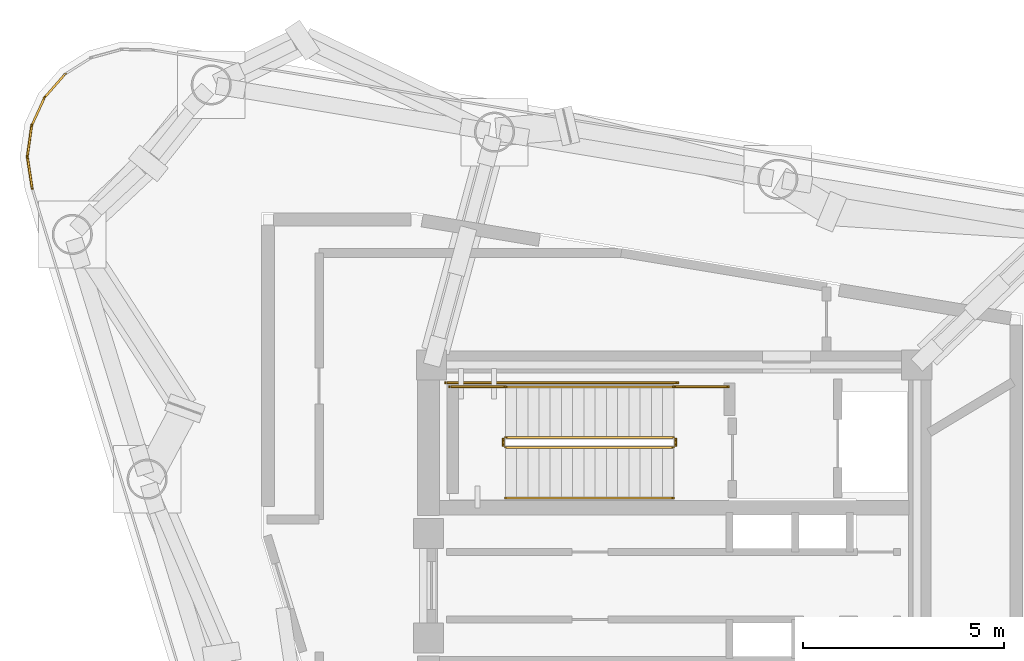
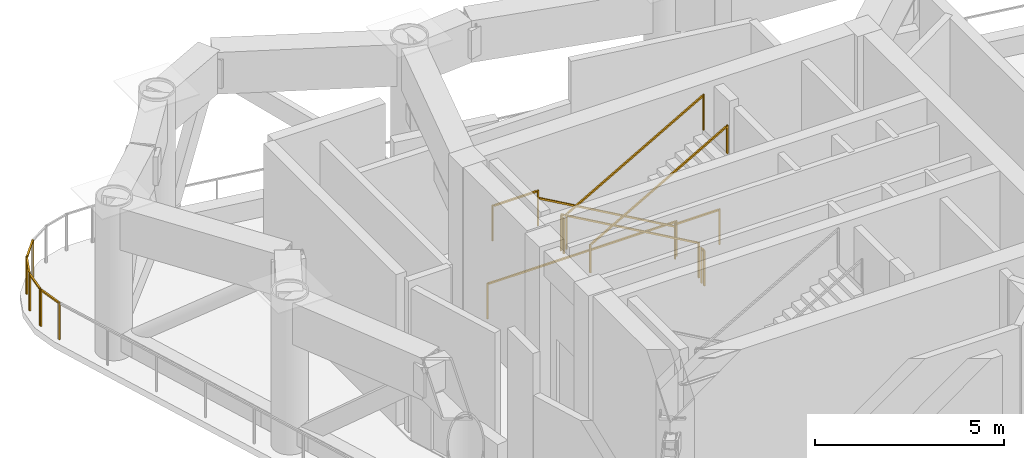
# One storey, part 8 of 9: 13 railings.
"""IFC4 building model written with IfcOpenShell, lengths in metres."""

from ifc_helpers import new_model, si_unit, direction, frame, origin, origin_2d, place, context, subcontext, project, spatial, rectangle, extrude, material, type_object, element, save


model = new_model("IFC4")

# Units and contexts
model_context = context("Model", 3, precision=1e-05, world=origin(), true_north=direction((0.0, 1.0)))
body_context = subcontext(model_context, "Body", "Model", "MODEL_VIEW")
ifc_project = project(units=[si_unit("LENGTHUNIT", "METRE"), si_unit("AREAUNIT", "SQUARE_METRE"), si_unit("VOLUMEUNIT", "CUBIC_METRE"), si_unit("PLANEANGLEUNIT", "RADIAN"), si_unit("MASSUNIT", "GRAM", prefix="KILO")], contexts=[model_context])

# Site, building, storey
site_placement = place(None, origin())
site = spatial("IfcSite", under=ifc_project, at=site_placement, CompositionType="ELEMENT")
building_placement = place(site_placement, origin())
building = spatial("IfcBuilding", under=site, at=building_placement, Name="Yunling Apex Tower", CompositionType="ELEMENT")
storey_placement = place(building_placement, frame((0.0, 0.0, 252.449951171875)))
storey = spatial("IfcBuildingStorey", under=building, at=storey_placement, Name="RF7", CompositionType="ELEMENT", Elevation=252.449951171875)

# Railings
ifc_material_1 = material(Name="Bronze anodised aluminium", Category="aluminium")
railing_type_1 = type_object("IfcRailingType", Name="RL-BAL-1200", PredefinedType="BALUSTRADE", material=ifc_material_1)
railing_1_placement = place(storey_placement, frame((-16.009033203125, 9.90625, 0.0)))
element("IfcRailing", 1, at=railing_1_placement, inside=storey, type_object=railing_type_1, Name="RL-REF-RF7-02", PredefinedType="BALUSTRADE", context=body_context, shape_type="SweptSolid", body=[
    extrude(rectangle(XDim=0.0439453125, YDim=0.0439453125, at=origin_2d()), origin(), (0.0, 0.0, 1.0), 1.199951171875),
    extrude(rectangle(XDim=0.0439453125, YDim=0.0439453125, at=origin_2d()), frame((-0.12353515625, 0.808837890625, 0.0)), (0.0, 0.0, 1.0), 1.199951171875),
    extrude(rectangle(XDim=0.050048828125, YDim=0.050048828125, at=origin_2d()), frame((-0.005859375, 0.037841796875, 1.1748046875), z_axis=(-0.150980852338, 0.988536687345, 0.0), x_axis=(-0.988536687345, -0.150980852338, 0.0)), (0.0, 0.0, 1.0), 0.741455078125),
])
railing_2_placement = place(storey_placement, frame((-16.13232421875, 10.685302734375, 0.0)))
element("IfcRailing", 2, at=railing_2_placement, inside=storey, type_object=railing_type_1, Name="RL-REF-RF7-03", PredefinedType="BALUSTRADE", context=body_context, shape_type="SweptSolid", body=[
    extrude(rectangle(XDim=0.0439453125, YDim=0.0439453125, at=origin_2d()), origin(), (0.0, 0.0, 1.0), 1.199951171875),
    extrude(rectangle(XDim=0.0439453125, YDim=0.0439453125, at=origin_2d()), frame((0.111328125, 0.797119140625, 0.0)), (0.0, 0.0, 1.0), 1.199951171875),
    extrude(rectangle(XDim=0.050048828125, YDim=0.050048828125, at=origin_2d()), frame((0.00537109375, 0.037841796875, 1.1748046875), z_axis=(0.138320583068, 0.99038750815, 0.0), x_axis=(-0.99038750815, 0.138320583068, 0.0)), (0.0, 0.0, 1.0), 0.728271484375),
])
railing_3_placement = place(storey_placement, frame((-16.029296875, 11.4541015625, 0.0)))
element("IfcRailing", 3, at=railing_3_placement, inside=storey, type_object=railing_type_1, Name="RL-REF-RF7-04", PredefinedType="BALUSTRADE", context=body_context, shape_type="SweptSolid", body=[
    extrude(rectangle(XDim=0.0439453125, YDim=0.0439453125, at=origin_2d()), origin(), (0.0, 0.0, 1.0), 1.199951171875),
    extrude(rectangle(XDim=0.0439453125, YDim=0.0439453125, at=origin_2d()), frame((0.335205078125, 0.731689453125, 0.0)), (0.0, 0.0, 1.0), 1.199951171875),
    extrude(rectangle(XDim=0.050048828125, YDim=0.050048828125, at=origin_2d()), frame((0.015869140625, 0.034912109375, 1.1748046875), z_axis=(0.416498024821, 0.909136620822, 0.0), x_axis=(-0.909136620822, 0.416498024821, 0.0)), (0.0, 0.0, 1.0), 0.728271484375),
])
railing_4_placement = place(storey_placement, frame((-15.71044921875, 12.160888671875, 0.0)))
element("IfcRailing", 4, at=railing_4_placement, inside=storey, type_object=railing_type_1, Name="RL-REF-RF7-05", PredefinedType="BALUSTRADE", context=body_context, shape_type="SweptSolid", body=[
    extrude(rectangle(XDim=0.0439453125, YDim=0.0439453125, at=origin_2d()), origin(), (0.0, 0.0, 1.0), 1.199951171875),
    extrude(rectangle(XDim=0.0439453125, YDim=0.0439453125, at=origin_2d()), frame((0.530517578125, 0.60546875, 0.0)), (0.0, 0.0, 1.0), 1.199951171875),
    extrude(rectangle(XDim=0.050048828125, YDim=0.050048828125, at=origin_2d()), frame((0.025146484375, 0.02880859375, 1.1748046875), z_axis=(0.659019755105, 0.752125629388, 0.0), x_axis=(-0.752125629388, 0.659019755105, 0.0)), (0.0, 0.0, 1.0), 0.728271484375),
])
ifc_material_2 = material(Name="Steel Q355B", Category="steel")
railing_type_2 = type_object("IfcRailingType", Name="RL-GRD-1150", PredefinedType="GUARDRAIL", material=ifc_material_2)
railing_5_placement = place(storey_placement, frame((-0.010009765625, 3.699951171875, 0.159423828125)))
element("IfcRailing", 5, at=railing_5_placement, inside=storey, type_object=railing_type_2, Name="RF7 ST-1 stair guard 1", PredefinedType="GUARDRAIL", context=body_context, shape_type="SweptSolid", body=[
    extrude(rectangle(XDim=0.0439453125, YDim=0.0439453125, at=origin_2d()), origin(), (0.0, 0.0, 1.0), 1.14990234375),
    extrude(rectangle(XDim=0.0439453125, YDim=0.0439453125, at=origin_2d()), frame((-4.199951171875, 0.0, 2.390625)), (0.0, 0.0, 1.0), 1.14990234375),
    extrude(rectangle(XDim=0.050048828125, YDim=0.050048828125, at=origin_2d()), frame((-0.033203125, 0.0, 1.143798828125), z_axis=(-0.869075089623, 0.0, 0.494680188199), x_axis=(0.0, -1.0, 0.0)), (0.0, 0.0, 1.0), 4.756103515625),
])
railing_6_placement = place(storey_placement, frame((-4.260009765625, 3.64990234375, 2.550048828125)))
element("IfcRailing", 6, at=railing_6_placement, inside=storey, type_object=railing_type_2, Name="RF7 ST-1 stair guard 2", PredefinedType="GUARDRAIL", context=body_context, shape_type="SweptSolid", body=[
    extrude(rectangle(XDim=0.0439453125, YDim=0.0439453125, at=origin_2d()), origin(), (0.0, 0.0, 1.0), 1.14990234375),
    extrude(rectangle(XDim=0.0439453125, YDim=0.0439453125, at=origin_2d()), frame((0.0, -0.14990234375, 0.0)), (0.0, 0.0, 1.0), 1.14990234375),
    extrude(rectangle(XDim=0.050048828125, YDim=0.050048828125, at=origin_2d()), frame((0.0, -0.038330078125, 1.125), z_axis=(0.0, -1.0, 0.0), x_axis=(1.0, 0.0, 0.0)), (0.0, 0.0, 1.0), 0.0732421875),
])
railing_7_placement = place(storey_placement, frame((-4.2099609375, 4.9599609375, 2.550048828125)))
element("IfcRailing", 7, at=railing_7_placement, inside=storey, type_object=railing_type_2, Name="RF7 ST-1 stair guard 3", PredefinedType="GUARDRAIL", context=body_context, shape_type="SweptSolid", body=[
    extrude(rectangle(XDim=0.0439453125, YDim=0.0439453125, at=origin_2d()), origin(), (0.0, 0.0, 1.0), 1.14990234375),
    extrude(rectangle(XDim=0.0439453125, YDim=0.0439453125, at=origin_2d()), frame((-1.39013671875, 0.0, 0.0)), (0.0, 0.0, 1.0), 1.14990234375),
    extrude(rectangle(XDim=0.050048828125, YDim=0.050048828125, at=origin_2d()), frame((-0.038330078125, 0.0, 1.125), z_axis=(-1.0, 0.0, 0.0), x_axis=(0.0, -1.0, 0.0)), (0.0, 0.0, 1.0), 1.3134765625),
])
railing_8_placement = place(storey_placement, frame((-4.2099609375, 3.449951171875, 2.70947265625)))
element("IfcRailing", 8, at=railing_8_placement, inside=storey, type_object=railing_type_2, Name="RF7 ST-1 stair guard 4", PredefinedType="GUARDRAIL", context=body_context, shape_type="SweptSolid", body=[
    extrude(rectangle(XDim=0.0439453125, YDim=0.0439453125, at=origin_2d()), origin(), (0.0, 0.0, 1.0), 1.14990234375),
    extrude(rectangle(XDim=0.0439453125, YDim=0.0439453125, at=origin_2d()), frame((4.199951171875, 0.0, 2.390625)), (0.0, 0.0, 1.0), 1.14990234375),
    extrude(rectangle(XDim=0.050048828125, YDim=0.050048828125, at=origin_2d()), frame((0.033203125, 0.0, 1.143798828125), z_axis=(0.869075089623, 0.0, 0.494680188199), x_axis=(0.0, 1.0, 0.0)), (0.0, 0.0, 1.0), 4.756103515625),
])
railing_9_placement = place(storey_placement, frame((0.0400390625, 3.64990234375, 0.0)))
element("IfcRailing", 9, at=railing_9_placement, inside=storey, type_object=railing_type_2, Name="RF7 ST-1 stair guard 5", PredefinedType="GUARDRAIL", context=body_context, shape_type="SweptSolid", body=[
    extrude(rectangle(XDim=0.0439453125, YDim=0.0439453125, at=origin_2d()), origin(), (0.0, 0.0, 1.0), 1.14990234375),
    extrude(rectangle(XDim=0.0439453125, YDim=0.0439453125, at=origin_2d()), frame((0.0, -0.14990234375, 0.0)), (0.0, 0.0, 1.0), 1.14990234375),
    extrude(rectangle(XDim=0.050048828125, YDim=0.050048828125, at=origin_2d()), frame((0.0, -0.038330078125, 1.125), z_axis=(0.0, -1.0, 0.0), x_axis=(1.0, 0.0, 0.0)), (0.0, 0.0, 1.0), 0.0732421875),
])
railing_10_placement = place(storey_placement, frame((1.35009765625, 4.9599609375, 0.0)))
element("IfcRailing", 10, at=railing_10_placement, inside=storey, type_object=railing_type_2, Name="RF7 ST-1 stair guard 6", PredefinedType="GUARDRAIL", context=body_context, shape_type="SweptSolid", body=[
    extrude(rectangle(XDim=0.0439453125, YDim=0.0439453125, at=origin_2d()), origin(), (0.0, 0.0, 1.0), 1.14990234375),
    extrude(rectangle(XDim=0.0439453125, YDim=0.0439453125, at=origin_2d()), frame((-1.360107421875, 0.0, 0.0)), (0.0, 0.0, 1.0), 1.14990234375),
    extrude(rectangle(XDim=0.050048828125, YDim=0.050048828125, at=origin_2d()), frame((-0.038330078125, 0.0, 1.125), z_axis=(-1.0, 0.0, 0.0), x_axis=(0.0, -1.0, 0.0)), (0.0, 0.0, 1.0), 1.283447265625),
])
railing_11_placement = place(storey_placement, frame((0.090087890625, 5.06005859375, 0.0)))
element("IfcRailing", 11, at=railing_11_placement, inside=storey, type_object=railing_type_2, Name="RF7 ST-1 stair guard 7", PredefinedType="GUARDRAIL", context=body_context, shape_type="SweptSolid", body=[
    extrude(rectangle(XDim=0.0439453125, YDim=0.0439453125, at=origin_2d()), origin(), (0.0, 0.0, 1.0), 1.14990234375),
    extrude(rectangle(XDim=0.0439453125, YDim=0.0439453125, at=origin_2d()), frame((-5.7900390625, 0.0, 0.0)), (0.0, 0.0, 1.0), 1.14990234375),
    extrude(rectangle(XDim=0.050048828125, YDim=0.050048828125, at=origin_2d()), frame((-0.038330078125, 0.0, 1.125), z_axis=(-1.0, 0.0, 0.0), x_axis=(0.0, -1.0, 0.0)), (0.0, 0.0, 1.0), 5.71337890625),
])
ifc_material_3 = material(Name="Silver anodised aluminium", Category="aluminium")
railing_type_3 = type_object("IfcRailingType", Name="RL-HND-900", PredefinedType="HANDRAIL", material=ifc_material_3)
railing_12_placement = place(storey_placement, frame((-0.010009765625, 4.9599609375, 0.159423828125)))
element("IfcRailing", 12, at=railing_12_placement, inside=storey, type_object=railing_type_3, Name="RF7 ST-1 stair handrail 1", PredefinedType="HANDRAIL", context=body_context, shape_type="SweptSolid", body=[
    extrude(rectangle(XDim=0.0439453125, YDim=0.0439453125, at=origin_2d()), origin(), (0.0, 0.0, 1.0), 0.919921875),
    extrude(rectangle(XDim=0.0439453125, YDim=0.0439453125, at=origin_2d()), frame((-4.199951171875, 0.0, 2.390625)), (0.0, 0.0, 1.0), 0.919921875),
    extrude(rectangle(XDim=0.050048828125, YDim=0.050048828125, at=origin_2d()), frame((-0.033203125, 0.0, 0.913818359375), z_axis=(-0.869075089623, 0.0, 0.494680188199), x_axis=(0.0, -1.0, 0.0)), (0.0, 0.0, 1.0), 4.756103515625),
])
railing_13_placement = place(storey_placement, frame((-4.2099609375, 2.18994140625, 2.70947265625)))
element("IfcRailing", 13, at=railing_13_placement, inside=storey, type_object=railing_type_3, Name="RF7 ST-1 stair handrail 2", PredefinedType="HANDRAIL", context=body_context, shape_type="SweptSolid", body=[
    extrude(rectangle(XDim=0.0439453125, YDim=0.0439453125, at=origin_2d()), origin(), (0.0, 0.0, 1.0), 0.919921875),
    extrude(rectangle(XDim=0.0439453125, YDim=0.0439453125, at=origin_2d()), frame((4.199951171875, 0.0, 2.390625)), (0.0, 0.0, 1.0), 0.919921875),
    extrude(rectangle(XDim=0.050048828125, YDim=0.050048828125, at=origin_2d()), frame((0.033203125, 0.0, 0.913818359375), z_axis=(0.869075089623, 0.0, 0.494680188199), x_axis=(0.0, 1.0, 0.0)), (0.0, 0.0, 1.0), 4.756103515625),
])

save(model, "model.ifc")
